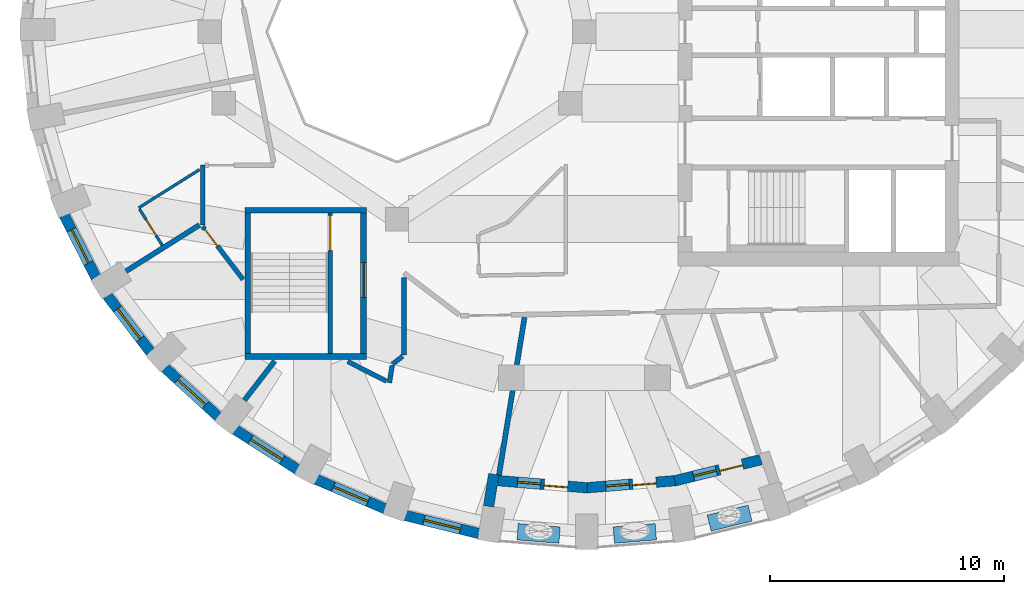
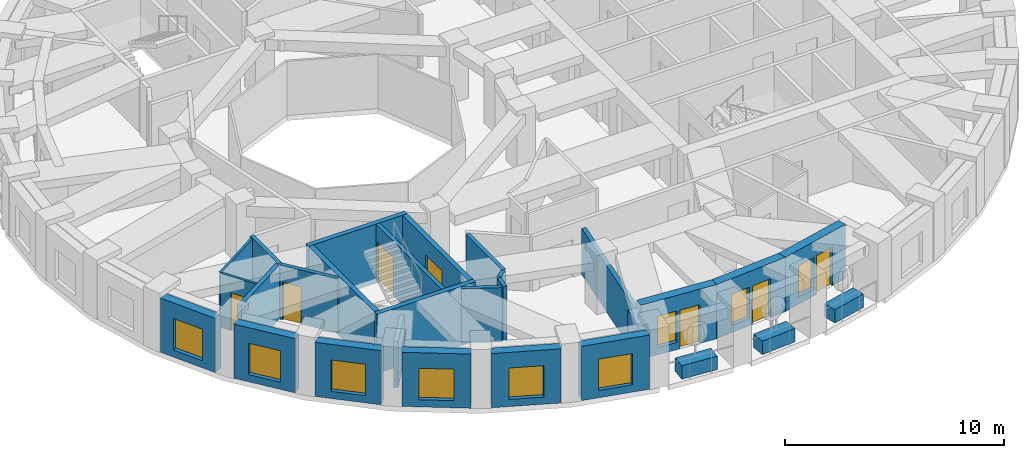
# One storey, part 3 of 11: 29 walls, 9 windows, 7 doors, 16 openings.
"""IFC4 building model written with IfcOpenShell, lengths in metres."""

from ifc_helpers import new_model, si_unit, direction, frame, frame_2d, origin, place, context, subcontext, project, spatial, rectangle, extrude, material, layer, layer_set, constituent, constituent_set, type_object, element, fill, save


model = new_model("IFC4")

# Units and contexts
model_context = context("Model", 3, precision=1e-05, world=origin(), true_north=direction((0.0, 1.0)))
body_context = subcontext(model_context, "Body", "Model", "MODEL_VIEW")
ifc_project = project(units=[si_unit("LENGTHUNIT", "METRE"), si_unit("AREAUNIT", "SQUARE_METRE"), si_unit("VOLUMEUNIT", "CUBIC_METRE"), si_unit("PLANEANGLEUNIT", "RADIAN"), si_unit("MASSUNIT", "GRAM", prefix="KILO")], contexts=[model_context])

# Site, building, storey
site_placement = place(None, origin())
site = spatial("IfcSite", under=ifc_project, at=site_placement, CompositionType="ELEMENT")
building_placement = place(site_placement, origin())
building = spatial("IfcBuilding", under=site, at=building_placement, Name="Taillehof Tower", CompositionType="ELEMENT")
storey_placement = place(building_placement, frame((0.0, 0.0, 161.60009765625)))
storey = spatial("IfcBuildingStorey", under=building, at=storey_placement, Name="L45", CompositionType="ELEMENT", Elevation=161.60009765625)

# Wall, opening, window
ifc_material_1 = material(Name="Brick masonry", Category="masonry")
ifc_layer_1 = layer(ifc_material_1, 0.449951171875)
ifc_layer_set_1 = layer_set([ifc_layer_1], Name="Brick infill wall 450")
wall_type_1 = type_object("IfcWallType", Name="Brick infill wall 450", PredefinedType="SOLIDWALL", material=ifc_layer_set_1)
wall_1_placement = place(storey_placement, frame((-22.21533203125, -7.8369140625, 0.0), z_axis=(0.0, 0.0, 1.0), x_axis=(0.454133999889, -0.890933392653, 0.0)))
wall_1 = element("IfcWall", 1, at=wall_1_placement, inside=storey, type_object=wall_type_1, Name="Brick wall L45 bay 21", PredefinedType="SOLIDWALL", context=body_context, shape_type="SweptSolid", body=[
    extrude(rectangle(XDim=2.98583984375, YDim=0.449951171875, at=frame_2d((1.492919921875, 0.0))), origin(), (0.0, 0.0, 1.0), 3.02001953125),
])
opening_1_placement = place(wall_1_placement, frame((0.69287109375, 0.0, 0.39990234375)))
opening_1 = element("IfcOpeningElement", 2, at=opening_1_placement, cuts=wall_1, Name="Opening W3", PredefinedType="OPENING", context=body_context, shape_type="SweptSolid", body=[
    extrude(rectangle(XDim=1.60009765625, YDim=1.75, at=frame_2d((0.800048828125, 0.875))), frame((0.0, 0.23486328125, 0.0), z_axis=(0.0, -1.0, 0.0), x_axis=(1.0, 0.0, 0.0)), (0.0, 0.0, 1.0), 0.469970703125),
])
ifc_material_2 = material(Name="Aluminium window frame with clear double glazing", Category="aluminium")
window_type_1 = type_object("IfcWindowType", Name="Deep-set window 1600x1750", PartitioningType="SINGLE_PANEL", PredefinedType="WINDOW", material=ifc_material_2)
window_1_placement = place(opening_1_placement, origin())
window_1 = element("IfcWindow", 3, at=window_1_placement, inside=storey, type_object=window_type_1, Name="W3", OverallHeight=1.75, OverallWidth=1.60009765625, PartitioningType="SINGLE_PANEL", PredefinedType="WINDOW", context=body_context, shape_type="SweptSolid", body=[
    extrude(rectangle(XDim=1.60009765625, YDim=1.75, at=frame_2d((0.800048828125, 0.875))), frame((0.0, 0.034912109375, 0.0), z_axis=(0.0, -1.0, 0.0), x_axis=(1.0, 0.0, 0.0)), (0.0, 0.0, 1.0), 0.06005859375),
])
fill(opening_1, window_1)

wall_2_placement = place(storey_placement, frame((-20.3740234375, -11.26708984375, 0.0), z_axis=(0.0, 0.0, 1.0), x_axis=(0.607817056371, -0.794077090706, 0.0)))
wall_2 = element("IfcWall", 4, at=wall_2_placement, inside=storey, type_object=wall_type_1, Name="Brick wall L45 bay 22", PredefinedType="SOLIDWALL", context=body_context, shape_type="SweptSolid", body=[
    extrude(rectangle(XDim=3.037109375, YDim=0.449951171875, at=frame_2d((1.5185546875, 0.0))), origin(), (0.0, 0.0, 1.0), 3.02001953125),
])
opening_2_placement = place(wall_2_placement, frame((0.718505859375, 0.0, 0.39990234375)))
opening_2 = element("IfcOpeningElement", 5, at=opening_2_placement, cuts=wall_2, Name="Opening W3", PredefinedType="OPENING", context=body_context, shape_type="SweptSolid", body=[
    extrude(rectangle(XDim=1.60009765625, YDim=1.75, at=frame_2d((0.800048828125, 0.875))), frame((0.0, 0.23486328125, 0.0), z_axis=(0.0, -1.0, 0.0), x_axis=(1.0, 0.0, 0.0)), (0.0, 0.0, 1.0), 0.469970703125),
])
window_2_placement = place(opening_2_placement, origin())
window_2 = element("IfcWindow", 6, at=window_2_placement, inside=storey, type_object=window_type_1, Name="W3", OverallHeight=1.75, OverallWidth=1.60009765625, PartitioningType="SINGLE_PANEL", PredefinedType="WINDOW", context=body_context, shape_type="SweptSolid", body=[
    extrude(rectangle(XDim=1.60009765625, YDim=1.75, at=frame_2d((0.800048828125, 0.875))), frame((0.0, 0.034912109375, 0.0), z_axis=(0.0, -1.0, 0.0), x_axis=(1.0, 0.0, 0.0)), (0.0, 0.0, 1.0), 0.06005859375),
])
fill(opening_2, window_2)

wall_3_placement = place(storey_placement, frame((-17.913330078125, -14.349853515625, 0.0), z_axis=(0.0, 0.0, 1.0), x_axis=(0.737808755941, -0.675009807082, 0.0)))
wall_3 = element("IfcWall", 7, at=wall_3_placement, inside=storey, type_object=wall_type_1, Name="Brick wall L45 bay 23", PredefinedType="SOLIDWALL", context=body_context, shape_type="SweptSolid", body=[
    extrude(rectangle(XDim=3.094482421875, YDim=0.449951171875, at=frame_2d((1.54736328125, 0.0))), origin(), (0.0, 0.0, 1.0), 3.02001953125),
])
opening_3_placement = place(wall_3_placement, frame((0.747314453125, 0.0, 0.39990234375)))
opening_3 = element("IfcOpeningElement", 8, at=opening_3_placement, cuts=wall_3, Name="Opening W3", PredefinedType="OPENING", context=body_context, shape_type="SweptSolid", body=[
    extrude(rectangle(XDim=1.60009765625, YDim=1.75, at=frame_2d((0.800048828125, 0.875))), frame((0.0, 0.23486328125, 0.0), z_axis=(0.0, -1.0, 0.0), x_axis=(1.0, 0.0, 0.0)), (0.0, 0.0, 1.0), 0.469970703125),
])
window_3_placement = place(opening_3_placement, origin())
window_3 = element("IfcWindow", 9, at=window_3_placement, inside=storey, type_object=window_type_1, Name="W3", OverallHeight=1.75, OverallWidth=1.60009765625, PartitioningType="SINGLE_PANEL", PredefinedType="WINDOW", context=body_context, shape_type="SweptSolid", body=[
    extrude(rectangle(XDim=1.60009765625, YDim=1.75, at=frame_2d((0.800048828125, 0.875))), frame((0.0, 0.034912109375, 0.0), z_axis=(0.0, -1.0, 0.0), x_axis=(1.0, 0.0, 0.0)), (0.0, 0.0, 1.0), 0.06005859375),
])
fill(opening_3, window_3)

wall_4_placement = place(storey_placement, frame((-14.908447265625, -16.993408203125, 0.0), z_axis=(0.0, 0.0, 1.0), x_axis=(0.842065914439, -0.539374633943, 0.0)))
wall_4 = element("IfcWall", 10, at=wall_4_placement, inside=storey, type_object=wall_type_1, Name="Brick wall L45 bay 24", PredefinedType="SOLIDWALL", context=body_context, shape_type="SweptSolid", body=[
    extrude(rectangle(XDim=3.1513671875, YDim=0.449951171875, at=frame_2d((1.57568359375, 0.0))), origin(), (0.0, 0.0, 1.0), 3.02001953125),
])
opening_4_placement = place(wall_4_placement, frame((0.775634765625, 0.0, 0.39990234375)))
opening_4 = element("IfcOpeningElement", 11, at=opening_4_placement, cuts=wall_4, Name="Opening W3", PredefinedType="OPENING", context=body_context, shape_type="SweptSolid", body=[
    extrude(rectangle(XDim=1.60009765625, YDim=1.75, at=frame_2d((0.800048828125, 0.875))), frame((0.0, 0.23486328125, 0.0), z_axis=(0.0, -1.0, 0.0), x_axis=(1.0, 0.0, 0.0)), (0.0, 0.0, 1.0), 0.469970703125),
])
window_4_placement = place(opening_4_placement, origin())
window_4 = element("IfcWindow", 12, at=window_4_placement, inside=storey, type_object=window_type_1, Name="W3", OverallHeight=1.75, OverallWidth=1.60009765625, PartitioningType="SINGLE_PANEL", PredefinedType="WINDOW", context=body_context, shape_type="SweptSolid", body=[
    extrude(rectangle(XDim=1.60009765625, YDim=1.75, at=frame_2d((0.800048828125, 0.875))), frame((0.0, 0.034912109375, 0.0), z_axis=(0.0, -1.0, 0.0), x_axis=(1.0, 0.0, 0.0)), (0.0, 0.0, 1.0), 0.06005859375),
])
fill(opening_4, window_4)

wall_5_placement = place(storey_placement, frame((-11.4501953125, -19.11865234375, 0.0), z_axis=(0.0, 0.0, 1.0), x_axis=(0.919798725687, -0.392390499663, 0.0)))
wall_5 = element("IfcWall", 13, at=wall_5_placement, inside=storey, type_object=wall_type_1, Name="Brick wall L45 bay 25", PredefinedType="SOLIDWALL", context=body_context, shape_type="SweptSolid", body=[
    extrude(rectangle(XDim=3.200439453125, YDim=0.449951171875, at=frame_2d((1.60009765625, 0.0))), origin(), (0.0, 0.0, 1.0), 3.02001953125),
])
opening_5_placement = place(wall_5_placement, frame((0.80029296875, 0.0, 0.39990234375)))
opening_5 = element("IfcOpeningElement", 14, at=opening_5_placement, cuts=wall_5, Name="Opening W3", PredefinedType="OPENING", context=body_context, shape_type="SweptSolid", body=[
    extrude(rectangle(XDim=1.60009765625, YDim=1.75, at=frame_2d((0.800048828125, 0.875))), frame((0.0, 0.23486328125, 0.0), z_axis=(0.0, -1.0, 0.0), x_axis=(1.0, 0.0, 0.0)), (0.0, 0.0, 1.0), 0.469970703125),
])
window_5_placement = place(opening_5_placement, origin())
window_5 = element("IfcWindow", 15, at=window_5_placement, inside=storey, type_object=window_type_1, Name="W3", OverallHeight=1.75, OverallWidth=1.60009765625, PartitioningType="SINGLE_PANEL", PredefinedType="WINDOW", context=body_context, shape_type="SweptSolid", body=[
    extrude(rectangle(XDim=1.60009765625, YDim=1.75, at=frame_2d((0.800048828125, 0.875))), frame((0.0, 0.034912109375, 0.0), z_axis=(0.0, -1.0, 0.0), x_axis=(1.0, 0.0, 0.0)), (0.0, 0.0, 1.0), 0.06005859375),
])
fill(opening_5, window_5)

wall_6_placement = place(storey_placement, frame((-7.642822265625, -20.662353515625, 0.0), z_axis=(0.0, 0.0, 1.0), x_axis=(0.971232901476, -0.238131583563, 0.0)))
wall_6 = element("IfcWall", 16, at=wall_6_placement, inside=storey, type_object=wall_type_1, Name="Brick wall L45 bay 26", PredefinedType="SOLIDWALL", context=body_context, shape_type="SweptSolid", body=[
    extrude(rectangle(XDim=3.236572265625, YDim=0.449951171875, at=frame_2d((1.6181640625, 0.0))), origin(), (0.0, 0.0, 1.0), 3.02001953125),
])
opening_6_placement = place(wall_6_placement, frame((0.818359375, 0.0, 0.39990234375)))
opening_6 = element("IfcOpeningElement", 17, at=opening_6_placement, cuts=wall_6, Name="Opening W3", PredefinedType="OPENING", context=body_context, shape_type="SweptSolid", body=[
    extrude(rectangle(XDim=1.60009765625, YDim=1.75, at=frame_2d((0.800048828125, 0.875))), frame((0.0, 0.23486328125, 0.0), z_axis=(0.0, -1.0, 0.0), x_axis=(1.0, 0.0, 0.0)), (0.0, 0.0, 1.0), 0.469970703125),
])
window_6_placement = place(opening_6_placement, origin())
window_6 = element("IfcWindow", 18, at=window_6_placement, inside=storey, type_object=window_type_1, Name="W3", OverallHeight=1.75, OverallWidth=1.60009765625, PartitioningType="SINGLE_PANEL", PredefinedType="WINDOW", context=body_context, shape_type="SweptSolid", body=[
    extrude(rectangle(XDim=1.60009765625, YDim=1.75, at=frame_2d((0.800048828125, 0.875))), frame((0.0, 0.034912109375, 0.0), z_axis=(0.0, -1.0, 0.0), x_axis=(1.0, 0.0, 0.0)), (0.0, 0.0, 1.0), 0.06005859375),
])
fill(opening_6, window_6)

# Wall
wall_7_placement = place(storey_placement, frame((-4.088134765625, -20.265869140625, 0.0), z_axis=(0.0, 0.0, 1.0), x_axis=(0.159641024018, 0.98717513312, 0.0)))
element("IfcWall", 19, at=wall_7_placement, inside=storey, type_object=wall_type_1, Name="Brick reveal L45 pocket 8", PredefinedType="SOLIDWALL", context=body_context, shape_type="SweptSolid", body=[
    extrude(rectangle(XDim=1.39013671875, YDim=0.449951171875, at=frame_2d((0.695068359375, 0.0))), origin(), (0.0, 0.0, 1.0), 2.56982421875),
])

# Wall, openings, door, window
wall_8_placement = place(storey_placement, frame((-3.68310546875, -19.170654296875, 0.0), z_axis=(0.0, 0.0, 1.0), x_axis=(0.996792437449, -0.080030223316, 0.0)))
wall_8 = element("IfcWall", 20, at=wall_8_placement, inside=storey, type_object=wall_type_1, Name="Brick wall L45 pocket bay 27", PredefinedType="SOLIDWALL", context=body_context, shape_type="SweptSolid", body=[
    extrude(rectangle(XDim=3.813232421875, YDim=0.449951171875, at=frame_2d((1.90673828125, 0.0))), origin(), (0.0, 0.0, 1.0), 3.02001953125),
])
opening_7_placement = place(wall_8_placement, frame((0.83154296875, 0.0, 0.39990234375)))
opening_7 = element("IfcOpeningElement", 21, at=opening_7_placement, cuts=wall_8, Name="Opening W5", PredefinedType="OPENING", context=body_context, shape_type="SweptSolid", body=[
    extrude(rectangle(XDim=1.0, YDim=1.75, at=frame_2d((0.5, 0.875))), frame((0.0, 0.23486328125, 0.0), z_axis=(0.0, -1.0, 0.0), x_axis=(1.0, 0.0, 0.0)), (0.0, 0.0, 1.0), 0.469970703125),
])
opening_8_placement = place(wall_8_placement, frame((1.981689453125, 0.0, 0.0)))
opening_8 = element("IfcOpeningElement", 22, at=opening_8_placement, cuts=wall_8, Name="Opening D4591", PredefinedType="OPENING", context=body_context, shape_type="SweptSolid", body=[
    extrude(rectangle(XDim=1.0, YDim=2.14990234375, at=frame_2d((0.5, 1.074951171875))), frame((0.0, 0.23486328125, 0.0), z_axis=(0.0, -1.0, 0.0), x_axis=(1.0, 0.0, 0.0)), (0.0, 0.0, 1.0), 0.469970703125),
])
ifc_material_3 = material(Name="Aluminium door frame with clear double glazing", Category="aluminium")
door_type_1 = type_object("IfcDoorType", Name="Balcony door 1000x2150", OperationType="SINGLE_SWING_RIGHT", PredefinedType="DOOR", material=ifc_material_3)
door_1_placement = place(opening_8_placement, frame((1.0, 0.0, 0.0), z_axis=(0.0, 0.0, 1.0), x_axis=(-1.0, 0.0, 0.0)))
door_1 = element("IfcDoor", 23, at=door_1_placement, inside=storey, type_object=door_type_1, Name="Balcony door L45 bay 27", OperationType="SINGLE_SWING_RIGHT", OverallHeight=2.14990234375, OverallWidth=1.0, PredefinedType="DOOR", context=body_context, shape_type="SweptSolid", body=[
    extrude(rectangle(XDim=1.0, YDim=2.14990234375, at=frame_2d((0.5, 1.074951171875))), frame((0.0, 0.0751953125, 0.0), z_axis=(0.0, -1.0, 0.0), x_axis=(1.0, 0.0, 0.0)), (0.0, 0.0, 1.0), 0.050048828125),
])
fill(opening_8, door_1)
ifc_material_4 = material(Name="Aluminium window frame with clear double glazing", Category="aluminium")
window_type_2 = type_object("IfcWindowType", Name="Fixed window 1000x1750", PartitioningType="SINGLE_PANEL", PredefinedType="WINDOW", material=ifc_material_4)
window_7_placement = place(opening_7_placement, origin())
window_7 = element("IfcWindow", 24, at=window_7_placement, inside=storey, type_object=window_type_2, Name="W5", OverallHeight=1.75, OverallWidth=1.0, PartitioningType="SINGLE_PANEL", PredefinedType="WINDOW", context=body_context, shape_type="SweptSolid", body=[
    extrude(rectangle(XDim=1.0, YDim=1.75, at=frame_2d((0.5, 0.875))), frame((0.0, 0.034912109375, 0.0), z_axis=(0.0, -1.0, 0.0), x_axis=(1.0, 0.0, 0.0)), (0.0, 0.0, 1.0), 0.06005859375),
])
fill(opening_7, window_7)

wall_9_placement = place(storey_placement, frame((0.08203125, -19.475830078125, 0.0), z_axis=(0.0, 0.0, 1.0), x_axis=(0.996792139022, 0.080033940204, 0.0)))
wall_9 = element("IfcWall", 25, at=wall_9_placement, inside=storey, type_object=wall_type_1, Name="Brick wall L45 pocket bay 28", PredefinedType="SOLIDWALL", context=body_context, shape_type="SweptSolid", body=[
    extrude(rectangle(XDim=3.831298828125, YDim=0.449951171875, at=frame_2d((1.91552734375, 0.0))), origin(), (0.0, 0.0, 1.0), 3.02001953125),
])
opening_9_placement = place(wall_9_placement, frame((0.840576171875, 0.0, 0.39990234375)))
opening_9 = element("IfcOpeningElement", 26, at=opening_9_placement, cuts=wall_9, Name="Opening W5", PredefinedType="OPENING", context=body_context, shape_type="SweptSolid", body=[
    extrude(rectangle(XDim=1.0, YDim=1.75, at=frame_2d((0.5, 0.875))), frame((0.0, 0.23486328125, 0.0), z_axis=(0.0, -1.0, 0.0), x_axis=(1.0, 0.0, 0.0)), (0.0, 0.0, 1.0), 0.469970703125),
])
opening_10_placement = place(wall_9_placement, frame((1.99072265625, 0.0, 0.0)))
opening_10 = element("IfcOpeningElement", 27, at=opening_10_placement, cuts=wall_9, Name="Opening D4592", PredefinedType="OPENING", context=body_context, shape_type="SweptSolid", body=[
    extrude(rectangle(XDim=1.0, YDim=2.14990234375, at=frame_2d((0.5, 1.074951171875))), frame((0.0, 0.23486328125, 0.0), z_axis=(0.0, -1.0, 0.0), x_axis=(1.0, 0.0, 0.0)), (0.0, 0.0, 1.0), 0.469970703125),
])
door_2_placement = place(opening_10_placement, frame((1.0, 0.0, 0.0), z_axis=(0.0, 0.0, 1.0), x_axis=(-1.0, 0.0, 0.0)))
door_2 = element("IfcDoor", 28, at=door_2_placement, inside=storey, type_object=door_type_1, Name="Balcony door L45 bay 28", OperationType="SINGLE_SWING_LEFT", OverallHeight=2.14990234375, OverallWidth=1.0, PredefinedType="DOOR", context=body_context, shape_type="SweptSolid", body=[
    extrude(rectangle(XDim=1.0, YDim=2.14990234375, at=frame_2d((0.5, 1.074951171875))), frame((0.0, 0.0751953125, 0.0), z_axis=(0.0, -1.0, 0.0), x_axis=(1.0, 0.0, 0.0)), (0.0, 0.0, 1.0), 0.050048828125),
])
fill(opening_10, door_2)
window_8_placement = place(opening_9_placement, origin())
window_8 = element("IfcWindow", 29, at=window_8_placement, inside=storey, type_object=window_type_2, Name="W5", OverallHeight=1.75, OverallWidth=1.0, PartitioningType="SINGLE_PANEL", PredefinedType="WINDOW", context=body_context, shape_type="SweptSolid", body=[
    extrude(rectangle(XDim=1.0, YDim=1.75, at=frame_2d((0.5, 0.875))), frame((0.0, 0.034912109375, 0.0), z_axis=(0.0, -1.0, 0.0), x_axis=(1.0, 0.0, 0.0)), (0.0, 0.0, 1.0), 0.06005859375),
])
fill(opening_9, window_8)

wall_10_placement = place(storey_placement, frame((3.865234375, -19.175048828125, 0.0), z_axis=(0.0, 0.0, 1.0), x_axis=(0.97109740077, 0.238683552465, 0.0)))
wall_10 = element("IfcWall", 30, at=wall_10_placement, inside=storey, type_object=wall_type_1, Name="Brick wall L45 pocket bay 29", PredefinedType="SOLIDWALL", context=body_context, shape_type="SweptSolid", body=[
    extrude(rectangle(XDim=3.789794921875, YDim=0.449951171875, at=frame_2d((1.89501953125, 0.0))), origin(), (0.0, 0.0, 1.0), 3.02001953125),
])
opening_11_placement = place(wall_10_placement, frame((0.81982421875, 0.0, 0.39990234375)))
opening_11 = element("IfcOpeningElement", 31, at=opening_11_placement, cuts=wall_10, Name="Opening W5", PredefinedType="OPENING", context=body_context, shape_type="SweptSolid", body=[
    extrude(rectangle(XDim=1.0, YDim=1.75, at=frame_2d((0.5, 0.875))), frame((0.0, 0.23486328125, 0.0), z_axis=(0.0, -1.0, 0.0), x_axis=(1.0, 0.0, 0.0)), (0.0, 0.0, 1.0), 0.469970703125),
])
opening_12_placement = place(wall_10_placement, frame((1.9697265625, 0.0, 0.0)))
opening_12 = element("IfcOpeningElement", 32, at=opening_12_placement, cuts=wall_10, Name="Opening D4593", PredefinedType="OPENING", context=body_context, shape_type="SweptSolid", body=[
    extrude(rectangle(XDim=1.0, YDim=2.14990234375, at=frame_2d((0.5, 1.074951171875))), frame((0.0, 0.23486328125, 0.0), z_axis=(0.0, -1.0, 0.0), x_axis=(1.0, 0.0, 0.0)), (0.0, 0.0, 1.0), 0.469970703125),
])
door_3_placement = place(opening_12_placement, frame((1.0, 0.0, 0.0), z_axis=(0.0, 0.0, 1.0), x_axis=(-1.0, 0.0, 0.0)))
door_3 = element("IfcDoor", 33, at=door_3_placement, inside=storey, type_object=door_type_1, Name="Balcony door L45 bay 29", OperationType="SINGLE_SWING_LEFT", OverallHeight=2.14990234375, OverallWidth=1.0, PredefinedType="DOOR", context=body_context, shape_type="SweptSolid", body=[
    extrude(rectangle(XDim=1.0, YDim=2.14990234375, at=frame_2d((0.5, 1.074951171875))), frame((0.0, 0.0751953125, 0.0), z_axis=(0.0, -1.0, 0.0), x_axis=(1.0, 0.0, 0.0)), (0.0, 0.0, 1.0), 0.050048828125),
])
fill(opening_12, door_3)
window_9_placement = place(opening_11_placement, origin())
window_9 = element("IfcWindow", 34, at=window_9_placement, inside=storey, type_object=window_type_2, Name="W5", OverallHeight=1.75, OverallWidth=1.0, PartitioningType="SINGLE_PANEL", PredefinedType="WINDOW", context=body_context, shape_type="SweptSolid", body=[
    extrude(rectangle(XDim=1.0, YDim=1.75, at=frame_2d((0.5, 0.875))), frame((0.0, 0.034912109375, 0.0), z_axis=(0.0, -1.0, 0.0), x_axis=(1.0, 0.0, 0.0)), (0.0, 0.0, 1.0), 0.06005859375),
])
fill(opening_11, window_9)

# Walls
ifc_material_5 = material(Name="Gypsum board on steel studs, two layers each side", Category="steel")
ifc_layer_2 = layer(ifc_material_5, 0.199951171875)
ifc_layer_set_2 = layer_set([ifc_layer_2], Name="Compartment wall corridor 200")
wall_type_2 = type_object("IfcWallType", Name="Compartment wall corridor 200", PredefinedType="PARTITIONING", material=ifc_layer_set_2)
wall_11_placement = place(storey_placement, frame((-7.699951171875, -10.501220703125, 0.0), z_axis=(0.0, 0.0, 1.0), x_axis=(0.0, -1.0, 0.0)))
element("IfcWall", 35, at=wall_11_placement, inside=storey, type_object=wall_type_2, Name="Compartment wall", PredefinedType="PARTITIONING", context=body_context, shape_type="SweptSolid", body=[
    extrude(rectangle(XDim=3.305908203125, YDim=0.199951171875, at=frame_2d((1.65283203125, 0.0))), origin(), (0.0, 0.0, 1.0), 3.02001953125),
])
wall_12_placement = place(storey_placement, frame((-7.762451171875, -13.85693359375, 0.0), z_axis=(0.0, 0.0, 1.0), x_axis=(-0.787561048704, -0.616236638447, 0.0)))
element("IfcWall", 36, at=wall_12_placement, inside=storey, type_object=wall_type_2, Name="Compartment wall", PredefinedType="PARTITIONING", context=body_context, shape_type="SweptSolid", body=[
    extrude(rectangle(XDim=0.551513671875, YDim=0.199951171875, at=frame_2d((0.27587890625, 0.0))), origin(), (0.0, 0.0, 1.0), 3.02001953125),
])
wall_13_placement = place(storey_placement, frame((-8.206298828125, -14.256103515625, 0.0), z_axis=(0.0, 0.0, 1.0), x_axis=(-0.159750207899, -0.987157470253, 0.0)))
element("IfcWall", 37, at=wall_13_placement, inside=storey, type_object=wall_type_2, Name="Compartment wall", PredefinedType="PARTITIONING", context=body_context, shape_type="SweptSolid", body=[
    extrude(rectangle(XDim=0.7412109375, YDim=0.199951171875, at=frame_2d((0.37060546875, 0.0))), origin(), (0.0, 0.0, 1.0), 3.02001953125),
])
wall_14_placement = place(storey_placement, frame((-8.449462890625, -14.924560546875, 0.0), z_axis=(0.0, 0.0, 1.0), x_axis=(-0.891172770552, 0.45366407509, 0.0)))
element("IfcWall", 38, at=wall_14_placement, inside=storey, type_object=wall_type_2, Name="Compartment wall", PredefinedType="PARTITIONING", context=body_context, shape_type="SweptSolid", body=[
    extrude(rectangle(XDim=1.85888671875, YDim=0.199951171875, at=frame_2d((0.929443359375, 0.0))), origin(), (0.0, 0.0, 1.0), 3.02001953125),
])

# Wall, opening, door
wall_15_placement = place(storey_placement, frame((-14.57373046875, -10.580078125, 0.0), z_axis=(0.0, 0.0, 1.0), x_axis=(-0.606733250298, 0.794905505694, 0.0)))
wall_15 = element("IfcWall", 39, at=wall_15_placement, inside=storey, type_object=wall_type_2, Name="Compartment wall", PredefinedType="PARTITIONING", context=body_context, shape_type="SweptSolid", body=[
    extrude(rectangle(XDim=2.84521484375, YDim=0.199951171875, at=frame_2d((1.422607421875, 0.0))), origin(), (0.0, 0.0, 1.0), 3.02001953125),
])
opening_13_placement = place(wall_15_placement, frame((1.80517578125, 0.0, 0.0)))
opening_13 = element("IfcOpeningElement", 40, at=opening_13_placement, cuts=wall_15, Name="Opening D4550", PredefinedType="OPENING", context=body_context, shape_type="SweptSolid", body=[
    extrude(rectangle(XDim=0.89990234375, YDim=2.10009765625, at=frame_2d((0.449951171875, 1.050048828125))), frame((0.0, 0.10986328125, 0.0), z_axis=(0.0, -1.0, 0.0), x_axis=(1.0, 0.0, 0.0)), (0.0, 0.0, 1.0), 0.219970703125),
])
ifc_material_6 = material(Name="Timber door leaf in steel frame", Category="steel")
door_type_2 = type_object("IfcDoorType", Name="Service room door EI 30 900 x 2100", OperationType="SINGLE_SWING_LEFT", PredefinedType="DOOR", material=ifc_material_6)
door_4_placement = place(opening_13_placement, origin())
door_4 = element("IfcDoor", 41, at=door_4_placement, inside=storey, type_object=door_type_2, Name="D4550", OperationType="SINGLE_SWING_RIGHT", OverallHeight=2.10009765625, OverallWidth=0.89990234375, PredefinedType="DOOR", context=body_context, shape_type="SweptSolid", body=[
    extrude(rectangle(XDim=0.89990234375, YDim=2.10009765625, at=frame_2d((0.449951171875, 1.050048828125))), frame((0.0, 0.02490234375, 0.0), z_axis=(0.0, -1.0, 0.0), x_axis=(1.0, 0.0, 0.0)), (0.0, 0.0, 1.0), 0.050048828125),
])
fill(opening_13, door_4)

# Walls
wall_16_placement = place(storey_placement, frame((-16.300048828125, -8.25830078125, 0.0), z_axis=(0.0, 0.0, 1.0), x_axis=(0.0, 1.0, 0.0)))
element("IfcWall", 42, at=wall_16_placement, inside=storey, type_object=wall_type_2, Name="Compartment wall", PredefinedType="PARTITIONING", context=body_context, shape_type="SweptSolid", body=[
    extrude(rectangle(XDim=2.558349609375, YDim=0.199951171875, at=frame_2d((1.279296875, 0.0))), origin(), (0.0, 0.0, 1.0), 3.02001953125),
])
ifc_material_7 = material(Name="Gypsum board on double steel studs with mineral wool", Category="steel")
ifc_layer_3 = layer(ifc_material_7, 0.219970703125)
ifc_layer_set_3 = layer_set([ifc_layer_3], Name="Compartment wall guest room 220")
wall_type_3 = type_object("IfcWallType", Name="Compartment wall guest room 220", PredefinedType="PARTITIONING", material=ifc_layer_set_3)
wall_17_placement = place(storey_placement, frame((-19.573486328125, -10.2255859375, 0.0), z_axis=(0.0, 0.0, 1.0), x_axis=(0.846352613514, 0.53262299387, 0.0)))
element("IfcWall", 43, at=wall_17_placement, inside=storey, type_object=wall_type_3, Name="Compartment wall", PredefinedType="PARTITIONING", context=body_context, shape_type="SweptSolid", body=[
    extrude(rectangle(XDim=3.709716796875, YDim=0.219970703125, at=frame_2d((1.85498046875, 0.0))), origin(), (0.0, 0.0, 1.0), 3.02001953125),
])
wall_18_placement = place(storey_placement, frame((-14.515869140625, -15.7373046875, 0.0), z_axis=(0.0, 0.0, 1.0), x_axis=(0.609983624648, 0.792414019097, 0.0)))
element("IfcWall", 44, at=wall_18_placement, inside=storey, type_object=wall_type_3, Name="Compartment wall", PredefinedType="PARTITIONING", context=body_context, shape_type="SweptSolid", body=[
    extrude(rectangle(XDim=2.118408203125, YDim=0.219970703125, at=frame_2d((1.05908203125, 0.0))), origin(), (0.0, 0.0, 1.0), 2.56982421875),
])
wall_19_placement = place(storey_placement, frame((-3.64697265625, -18.94775390625, 0.0), z_axis=(0.0, 0.0, 1.0), x_axis=(0.159718523375, 0.98716259719, 0.0)))
element("IfcWall", 45, at=wall_19_placement, inside=storey, type_object=wall_type_3, Name="Compartment wall", PredefinedType="PARTITIONING", context=body_context, shape_type="SweptSolid", body=[
    extrude(rectangle(XDim=6.83740234375, YDim=0.219970703125, at=frame_2d((3.418701171875, 0.0))), origin(), (0.0, 0.0, 1.0), 2.56982421875),
])
ifc_material_8 = material(Name="Gypsum board on steel studs, moisture resistant", Category="steel")
ifc_layer_4 = layer(ifc_material_8, 0.1201171875)
ifc_layer_set_4 = layer_set([ifc_layer_4], Name="En-suite wall 120")
wall_type_4 = type_object("IfcWallType", Name="En-suite wall 120", PredefinedType="PARTITIONING", material=ifc_layer_set_4)
wall_20_placement = place(storey_placement, frame((-16.433837890625, -5.88671875, 0.0), z_axis=(0.0, 0.0, 1.0), x_axis=(-0.846389599206, -0.532564218058, 0.0)))
element("IfcWall", 46, at=wall_20_placement, inside=storey, type_object=wall_type_4, Name="En-suite wall", PredefinedType="PARTITIONING", context=body_context, shape_type="SweptSolid", body=[
    extrude(rectangle(XDim=3.068115234375, YDim=0.1201171875, at=frame_2d((1.5341796875, 0.0))), origin(), (0.0, 0.0, 1.0), 3.02001953125),
])

# Wall, opening, door
wall_21_placement = place(storey_placement, frame((-18.99853515625, -7.5712890625, 0.0), z_axis=(0.0, 0.0, 1.0), x_axis=(0.532431076319, -0.84647335987, 0.0)))
wall_21 = element("IfcWall", 47, at=wall_21_placement, inside=storey, type_object=wall_type_4, Name="En-suite wall", PredefinedType="PARTITIONING", context=body_context, shape_type="SweptSolid", body=[
    extrude(rectangle(XDim=1.830078125, YDim=0.1201171875, at=frame_2d((0.9150390625, 0.0))), origin(), (0.0, 0.0, 1.0), 3.02001953125),
])
opening_14_placement = place(wall_21_placement, frame((0.5400390625, 0.0, 0.0)))
opening_14 = element("IfcOpeningElement", 48, at=opening_14_placement, cuts=wall_21, Name="Opening D4549", PredefinedType="OPENING", context=body_context, shape_type="SweptSolid", body=[
    extrude(rectangle(XDim=0.800048828125, YDim=2.10009765625, at=frame_2d((0.39990234375, 1.050048828125))), frame((0.0, 0.070068359375, 0.0), z_axis=(0.0, -1.0, 0.0), x_axis=(1.0, 0.0, 0.0)), (0.0, 0.0, 1.0), 0.14013671875),
])
ifc_material_9 = material(Name="Timber door leaf in steel frame", Category="steel")
door_type_3 = type_object("IfcDoorType", Name="En-suite door 800 x 2100", OperationType="SINGLE_SWING_LEFT", PredefinedType="DOOR", material=ifc_material_9)
door_5_placement = place(opening_14_placement, origin())
door_5 = element("IfcDoor", 49, at=door_5_placement, inside=storey, type_object=door_type_3, Name="D4549", OperationType="SINGLE_SWING_LEFT", OverallHeight=2.10009765625, OverallWidth=0.800048828125, PredefinedType="DOOR", context=body_context, shape_type="SweptSolid", body=[
    extrude(rectangle(XDim=0.800048828125, YDim=2.10009765625, at=frame_2d((0.39990234375, 1.050048828125))), frame((0.0, 0.02490234375, 0.0), z_axis=(0.0, -1.0, 0.0), x_axis=(1.0, 0.0, 0.0)), (0.0, 0.0, 1.0), 0.050048828125),
])
fill(opening_14, door_5)

# Walls
ifc_material_10 = material(Name="Concrete C30/37 precast", Category="concrete")
ifc_constituent_1 = constituent(ifc_material_10, Name="Structure", Category="concrete")
ifc_material_11 = material(Name="Insulated lining")
ifc_constituent_2 = constituent(ifc_material_11, Name="Lining")
ifc_constituent_set = constituent_set(constituents=[ifc_constituent_1, ifc_constituent_2], Name="Planter trough 700x750")
wall_type_5 = type_object("IfcWallType", Name="Planter trough 700x750", PredefinedType="USERDEFINED", material=ifc_constituent_set)
for number, where, z_axis, x_axis, name in (
    (50, (-2.852294921875, -21.35205078125, 0.0), (0.0, 0.0, 1.0), (0.996814415906, -0.07975600443, 0.0), "Planter L45 bay 27"),
    (51, (1.258056640625, -21.49560546875, 0.0), (0.0, 0.0, 1.0), (0.996814415906, 0.07975600443, 0.0), "Planter L45 bay 28"),
    (52, (5.329345703125, -20.985107421875, 0.0), (0.0, 0.0, 1.0), (0.971249321581, 0.238064603265, 0.0), "Planter L45 bay 29"),
):
    element("IfcWall", number, at=place(storey_placement, frame(where, z_axis=z_axis, x_axis=x_axis)), inside=storey, type_object=wall_type_5, Name=name, ObjectType="PLANTER", PredefinedType="USERDEFINED", context=body_context, shape_type="SweptSolid", body=[
        extrude(rectangle(XDim=1.7998046875, YDim=0.699951171875, at=frame_2d((0.89990234375, 0.0))), origin(), (0.0, 0.0, 1.0), 0.75),
    ])

# Wall, opening, door
ifc_material_12 = material(Name="Concrete C50/60", Category="concrete")
ifc_layer_5 = layer(ifc_material_12, 0.199951171875)
ifc_layer_set_5 = layer_set([ifc_layer_5], Name="Shaft wall C50/60 200")
wall_type_6 = type_object("IfcWallType", Name="Shaft wall C50/60 200", PredefinedType="SHEAR", material=ifc_layer_set_5)
wall_22_placement = place(storey_placement, frame((-10.85009765625, -13.75, 0.0), z_axis=(0.0, 0.0, 1.0), x_axis=(0.0, 1.0, 0.0)))
wall_22 = element("IfcWall", 53, at=wall_22_placement, inside=storey, type_object=wall_type_6, Name="Shaft wall SW", PredefinedType="SHEAR", context=body_context, shape_type="SweptSolid", body=[
    extrude(rectangle(XDim=6.0, YDim=0.199951171875, at=frame_2d((3.0, 0.0))), origin(), (0.0, 0.0, 1.0), 3.02001953125),
])
opening_15_placement = place(wall_22_placement, frame((4.39990234375, 0.0, 0.0)))
opening_15 = element("IfcOpeningElement", 54, at=opening_15_placement, cuts=wall_22, Name="Opening D4513", PredefinedType="OPENING", context=body_context, shape_type="SweptSolid", body=[
    extrude(rectangle(XDim=1.5, YDim=2.10009765625, at=frame_2d((0.75, 1.050048828125))), frame((0.0, 0.10986328125, 0.0), z_axis=(0.0, -1.0, 0.0), x_axis=(1.0, 0.0, 0.0)), (0.0, 0.0, 1.0), 0.219970703125),
])
ifc_material_13 = material(Name="Steel-faced fire door", Category="steel")
door_type_4 = type_object("IfcDoorType", Name="Stair door 1500x2100", OperationType="DOUBLE_DOOR_SINGLE_SWING", PredefinedType="DOOR", material=ifc_material_13)
door_6_placement = place(opening_15_placement, origin())
door_6 = element("IfcDoor", 55, at=door_6_placement, inside=storey, type_object=door_type_4, Name="Stair lobby door S4", OperationType="DOUBLE_DOOR_SINGLE_SWING", OverallHeight=2.10009765625, OverallWidth=1.5, PredefinedType="DOOR", context=body_context, shape_type="SweptSolid", body=[
    extrude(rectangle(XDim=1.5, YDim=2.10009765625, at=frame_2d((0.75, 1.050048828125))), frame((0.0, 0.02490234375, 0.0), z_axis=(0.0, -1.0, 0.0), x_axis=(1.0, 0.0, 0.0)), (0.0, 0.0, 1.0), 0.050048828125),
])
fill(opening_15, door_6)

# Wall
ifc_material_14 = material(Name="Concrete C50/60", Category="concrete")
ifc_layer_6 = layer(ifc_material_14, 0.25)
ifc_layer_set_6 = layer_set([ifc_layer_6], Name="Stair wall C50/60 250")
wall_type_7 = type_object("IfcWallType", Name="Stair wall C50/60 250", PredefinedType="SHEAR", material=ifc_layer_set_6)
wall_23_placement = place(storey_placement, frame((-14.375, -13.75, -0.280029296875), z_axis=(0.0, 0.0, 1.0), x_axis=(0.0, 1.0, 0.0)))
element("IfcWall", 56, at=wall_23_placement, inside=storey, type_object=wall_type_7, Name="Stair wall SC", PredefinedType="SHEAR", context=body_context, shape_type="SweptSolid", body=[
    extrude(rectangle(XDim=6.0, YDim=0.25, at=frame_2d((3.0, 0.0))), origin(), (0.0, 0.0, 1.0), 3.300048828125),
])

# Wall, opening, door
wall_24_placement = place(storey_placement, frame((-9.425048828125, -13.75, -0.280029296875), z_axis=(0.0, 0.0, 1.0), x_axis=(0.0, 1.0, 0.0)))
wall_24 = element("IfcWall", 57, at=wall_24_placement, inside=storey, type_object=wall_type_7, Name="Stair wall SC", PredefinedType="SHEAR", context=body_context, shape_type="SweptSolid", body=[
    extrude(rectangle(XDim=6.0, YDim=0.25, at=frame_2d((3.0, 0.0))), origin(), (0.0, 0.0, 1.0), 3.300048828125),
])
opening_16_placement = place(wall_24_placement, frame((2.39990234375, 0.0, 0.280029296875)))
opening_16 = element("IfcOpeningElement", 58, at=opening_16_placement, cuts=wall_24, Name="Opening D4516", PredefinedType="OPENING", context=body_context, shape_type="SweptSolid", body=[
    extrude(rectangle(XDim=1.5, YDim=2.10009765625, at=frame_2d((0.75, 1.050048828125))), frame((0.0, 0.135009765625, 0.0), z_axis=(0.0, -1.0, 0.0), x_axis=(1.0, 0.0, 0.0)), (0.0, 0.0, 1.0), 0.27001953125),
])
door_7_placement = place(opening_16_placement, origin())
door_7 = element("IfcDoor", 59, at=door_7_placement, inside=storey, type_object=door_type_4, Name="Stair door S4", OperationType="DOUBLE_DOOR_SINGLE_SWING", OverallHeight=2.10009765625, OverallWidth=1.5, PredefinedType="DOOR", context=body_context, shape_type="SweptSolid", body=[
    extrude(rectangle(XDim=1.5, YDim=2.10009765625, at=frame_2d((0.75, 1.050048828125))), frame((0.0, 0.02490234375, 0.0), z_axis=(0.0, -1.0, 0.0), x_axis=(1.0, 0.0, 0.0)), (0.0, 0.0, 1.0), 0.050048828125),
])
fill(opening_16, door_7)

# Walls
for number, where, z_axis, x_axis, name in (
    (60, (-14.5, -7.625, -0.280029296875), (0.0, 0.0, 1.0), (1.0, 0.0, 0.0), "Stair wall SC"),
    (61, (-14.5, -13.875, -0.280029296875), (0.0, 0.0, 1.0), (1.0, 0.0, 0.0), "Stair wall SC"),
):
    element("IfcWall", number, at=place(storey_placement, frame(where, z_axis=z_axis, x_axis=x_axis)), inside=storey, type_object=wall_type_7, Name=name, PredefinedType="SHEAR", context=body_context, shape_type="SweptSolid", body=[
        extrude(rectangle(XDim=5.199951171875, YDim=0.25, at=frame_2d((2.60009765625, 0.0))), origin(), (0.0, 0.0, 1.0), 3.300048828125),
    ])

save(model, "model.ifc")
